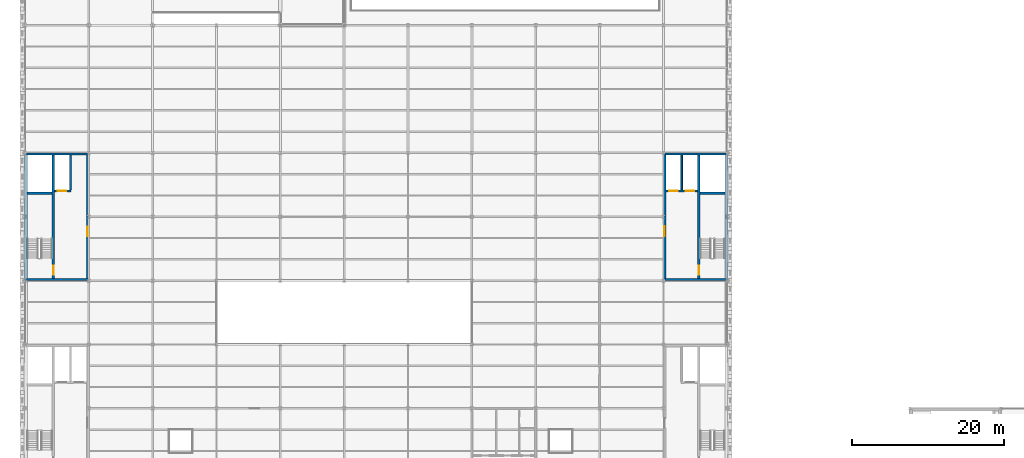
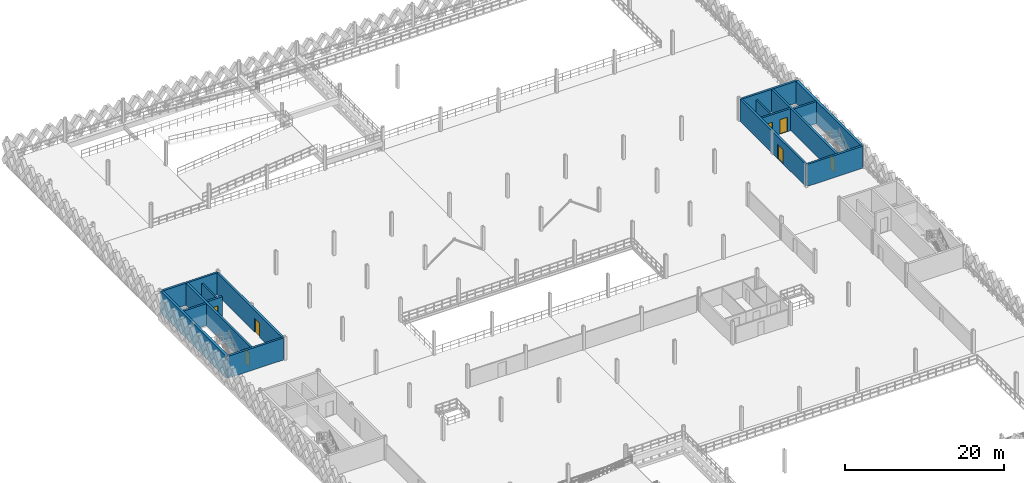
# One storey, part 61 of 74: 16 walls, 7 doors, 7 openings.
"""IFC4 building model written with IfcOpenShell, lengths in metres."""

from ifc_helpers import new_model, si_unit, direction, frame, frame_2d, origin, place, context, subcontext, project, spatial, rectangle, extrude, material, layer, layer_set, type_object, element, fill, save


model = new_model("IFC4")

# Units and contexts
model_context = context("Model", 3, precision=1e-05, world=origin(), true_north=direction((0.0, 1.0)))
body_context = subcontext(model_context, "Body", "Model", "MODEL_VIEW")
ifc_project = project(units=[si_unit("LENGTHUNIT", "METRE"), si_unit("AREAUNIT", "SQUARE_METRE"), si_unit("VOLUMEUNIT", "CUBIC_METRE"), si_unit("PLANEANGLEUNIT", "RADIAN"), si_unit("MASSUNIT", "GRAM", prefix="KILO"), si_unit("THERMODYNAMICTEMPERATUREUNIT", "KELVIN"), si_unit("POWERUNIT", "WATT")], contexts=[model_context])

# Site, building, storey
site_placement = place(None, origin())
site = spatial("IfcSite", under=ifc_project, at=site_placement, CompositionType="ELEMENT")
building_placement = place(site_placement, origin())
building = spatial("IfcBuilding", under=site, at=building_placement, Name="Tembeka Court Mobility Hub", CompositionType="ELEMENT")
storey_placement = place(building_placement, frame((0.0, 0.0, 12.60009765625)))
storey = spatial("IfcBuildingStorey", under=building, at=storey_placement, Name="L03", CompositionType="ELEMENT", Elevation=12.60009765625)

# Walls
ifc_material_1 = material(Name="Concrete C40/50", Category="concrete")
ifc_layer_1 = layer(ifc_material_1, 0.25)
ifc_layer_set_1 = layer_set([ifc_layer_1], Name="Concrete C40/50")
wall_type_1 = type_object("IfcWallType", Name="WL-IW01", PredefinedType="PARTITIONING", material=ifc_layer_set_1)
for number, where, z_axis, x_axis, name in (
    (1, (86.39990234375, 75.550048828125, 0.0), (0.0, 0.0, 1.0), (0.0, 1.0, 0.0), "Wall IW01 (IW-L03-0104)"),
    (2, (6.0, 75.550048828125, 0.0), (0.0, 0.0, 1.0), (0.0, 1.0, 0.0), "Wall IW01 (IW-L03-0168)"),
):
    element("IfcWall", number, at=place(storey_placement, frame(where, z_axis=z_axis, x_axis=x_axis)), inside=storey, type_object=wall_type_1, Name=name, PredefinedType="PARTITIONING", context=body_context, shape_type="SweptSolid", body=[
        extrude(rectangle(XDim=4.550048828125, YDim=0.25, at=frame_2d((2.27490234375, 0.0))), origin(), (0.0, 0.0, 1.0), 2.52490234375),
    ])
ifc_layer_2 = layer(ifc_material_1, 0.300048828125)
ifc_layer_set_2 = layer_set([ifc_layer_2], Name="Concrete C40/50")
wall_type_2 = type_object("IfcWallType", Name="WL-SW01", PredefinedType="SHEAR", material=ifc_layer_set_2)
for number, where, z_axis, x_axis, name in (
    (3, (84.1845703125, 63.75, 0.0), (0.0, 0.0, 1.0), (1.0, 0.0, 0.0), "Wall SW01 (IW-L03-0097)"),
    (4, (84.1845703125, 80.25, 0.0), (0.0, 0.0, 1.0), (1.0, 0.0, 0.0), "Wall SW01 (IW-L03-0098)"),
):
    element("IfcWall", number, at=place(storey_placement, frame(where, z_axis=z_axis, x_axis=x_axis)), inside=storey, type_object=wall_type_2, Name=name, PredefinedType="SHEAR", context=body_context, shape_type="SweptSolid", body=[
        extrude(rectangle(XDim=8.031005859375, YDim=0.300048828125, at=frame_2d((4.015625, 0.0))), origin(), (0.0, 0.0, 1.0), 3.3798828125),
    ])
wall_1_placement = place(storey_placement, frame((88.800048828125, 75.10009765625, 0.0), z_axis=(0.0, 0.0, 1.0), x_axis=(1.0, 0.0, 0.0)))
element("IfcWall", 5, at=wall_1_placement, inside=storey, type_object=wall_type_2, Name="Wall SW01 (IW-L03-0099)", PredefinedType="SHEAR", context=body_context, shape_type="SweptSolid", body=[
    extrude(rectangle(XDim=3.300048828125, YDim=0.300048828125, at=frame_2d((1.64990234375, 0.0))), origin(), (0.0, 0.0, 1.0), 3.3798828125),
])

# Wall, opening, door
wall_2_placement = place(storey_placement, frame((84.14990234375, 63.781982421875, 0.0), z_axis=(0.0, 0.0, 1.0), x_axis=(0.0, 1.0, 0.0)))
wall_2 = element("IfcWall", 6, at=wall_2_placement, inside=storey, type_object=wall_type_2, Name="Wall SW01 (IW-L03-0101)", PredefinedType="SHEAR", context=body_context, shape_type="SweptSolid", body=[
    extrude(rectangle(XDim=16.43603515625, YDim=0.300048828125, at=frame_2d((8.218017578125, 0.0))), origin(), (0.0, 0.0, 1.0), 3.3798828125),
])
opening_1_placement = place(wall_2_placement, frame((5.66796875, 0.0, 0.0)))
opening_1 = element("IfcOpeningElement", 7, at=opening_1_placement, cuts=wall_2, Name="Opening FD02", PredefinedType="OPENING", context=body_context, shape_type="SweptSolid", body=[
    extrude(rectangle(XDim=1.300048828125, YDim=2.199951171875, at=frame_2d((0.64990234375, 1.10009765625))), frame((0.0, 0.16015625, 0.0), z_axis=(0.0, -1.0, 0.0), x_axis=(1.0, 0.0, 0.0)), (0.0, 0.0, 1.0), 0.320068359375),
])
ifc_material_2 = material(Name="Galvanised steel fire/shutter doorset", Category="steel")
door_type_1 = type_object("IfcDoorType", Name="DR-FD02", OperationType="NOTDEFINED", PredefinedType="DOOR", material=ifc_material_2)
door_1_placement = place(opening_1_placement, origin())
door_1 = element("IfcDoor", 8, at=door_1_placement, inside=storey, type_object=door_type_1, Name="Door FD02-0051", OperationType="SINGLE_SWING_RIGHT", OverallHeight=2.199951171875, OverallWidth=1.300048828125, PredefinedType="DOOR", context=body_context, shape_type="SweptSolid", body=[
    extrude(rectangle(XDim=1.300048828125, YDim=2.199951171875, at=frame_2d((0.64990234375, 1.10009765625))), frame((0.0, 0.02490234375, 0.0), z_axis=(0.0, -1.0, 0.0), x_axis=(1.0, 0.0, 0.0)), (0.0, 0.0, 1.0), 0.050048828125),
])
fill(opening_1, door_1)

wall_3_placement = place(storey_placement, frame((88.64990234375, 63.89990234375, 0.0), z_axis=(0.0, 0.0, 1.0), x_axis=(0.0, 1.0, 0.0)))
wall_3 = element("IfcWall", 9, at=wall_3_placement, inside=storey, type_object=wall_type_2, Name="Wall SW01 (IW-L03-0102)", PredefinedType="SHEAR", context=body_context, shape_type="SweptSolid", body=[
    extrude(rectangle(XDim=16.2001953125, YDim=0.300048828125, at=frame_2d((8.10009765625, 0.0))), origin(), (0.0, 0.0, 1.0), 3.3798828125),
])
opening_2_placement = place(wall_3_placement, frame((0.5, 0.0, 0.0)))
opening_2 = element("IfcOpeningElement", 10, at=opening_2_placement, cuts=wall_3, Name="Opening FD03", PredefinedType="OPENING", context=body_context, shape_type="SweptSolid", body=[
    extrude(rectangle(XDim=1.14990234375, YDim=2.14990234375, at=frame_2d((0.574951171875, 1.074951171875))), frame((0.0, 0.16015625, 0.0), z_axis=(0.0, -1.0, 0.0), x_axis=(1.0, 0.0, 0.0)), (0.0, 0.0, 1.0), 0.320068359375),
])
door_type_2 = type_object("IfcDoorType", Name="DR-FD03", OperationType="NOTDEFINED", PredefinedType="DOOR", material=ifc_material_2)
door_2_placement = place(opening_2_placement, origin())
door_2 = element("IfcDoor", 11, at=door_2_placement, inside=storey, type_object=door_type_2, Name="Door FD03-0052", OperationType="SINGLE_SWING_RIGHT", OverallHeight=2.14990234375, OverallWidth=1.14990234375, PredefinedType="DOOR", context=body_context, shape_type="SweptSolid", body=[
    extrude(rectangle(XDim=1.14990234375, YDim=2.14990234375, at=frame_2d((0.574951171875, 1.074951171875))), frame((0.0, 0.02490234375, 0.0), z_axis=(0.0, -1.0, 0.0), x_axis=(1.0, 0.0, 0.0)), (0.0, 0.0, 1.0), 0.050048828125),
])
fill(opening_2, door_2)

# Wall, openings, doors
wall_4_placement = place(storey_placement, frame((84.300048828125, 75.39990234375, 0.0), z_axis=(0.0, 0.0, 1.0), x_axis=(1.0, 0.0, 0.0)))
wall_4 = element("IfcWall", 12, at=wall_4_placement, inside=storey, type_object=wall_type_2, Name="Wall SW01 (IW-L03-0103)", PredefinedType="SHEAR", context=body_context, shape_type="SweptSolid", body=[
    extrude(rectangle(XDim=4.199951171875, YDim=0.300048828125, at=frame_2d((2.10009765625, 0.0))), origin(), (0.0, 0.0, 1.0), 3.3798828125),
])
opening_3_placement = place(wall_4_placement, frame((0.449951171875, 0.0, 0.0)))
opening_3 = element("IfcOpeningElement", 13, at=opening_3_placement, cuts=wall_4, Name="Opening LD01", PredefinedType="OPENING", context=body_context, shape_type="SweptSolid", body=[
    extrude(rectangle(XDim=1.10009765625, YDim=2.199951171875, at=frame_2d((0.550048828125, 1.10009765625))), frame((0.0, 0.16015625, 0.0), z_axis=(0.0, -1.0, 0.0), x_axis=(1.0, 0.0, 0.0)), (0.0, 0.0, 1.0), 0.320068359375),
])
opening_4_placement = place(wall_4_placement, frame((2.64990234375, 0.0, 0.0)))
opening_4 = element("IfcOpeningElement", 14, at=opening_4_placement, cuts=wall_4, Name="Opening LD01", PredefinedType="OPENING", context=body_context, shape_type="SweptSolid", body=[
    extrude(rectangle(XDim=1.10009765625, YDim=2.199951171875, at=frame_2d((0.550048828125, 1.10009765625))), frame((0.0, 0.16015625, 0.0), z_axis=(0.0, -1.0, 0.0), x_axis=(1.0, 0.0, 0.0)), (0.0, 0.0, 1.0), 0.320068359375),
])
door_type_3 = type_object("IfcDoorType", Name="DR-LD01", OperationType="SLIDING_TO_LEFT", PredefinedType="DOOR", material=ifc_material_2)
door_3_placement = place(opening_3_placement, origin())
door_3 = element("IfcDoor", 15, at=door_3_placement, inside=storey, type_object=door_type_3, Name="Lift LF02 landing door L03", OperationType="SLIDING_TO_LEFT", OverallHeight=2.199951171875, OverallWidth=1.10009765625, PredefinedType="DOOR", context=body_context, shape_type="SweptSolid", body=[
    extrude(rectangle(XDim=1.10009765625, YDim=2.199951171875, at=frame_2d((0.550048828125, 1.10009765625))), frame((0.0, 0.02490234375, 0.0), z_axis=(0.0, -1.0, 0.0), x_axis=(1.0, 0.0, 0.0)), (0.0, 0.0, 1.0), 0.050048828125),
])
fill(opening_3, door_3)
door_4_placement = place(opening_4_placement, origin())
door_4 = element("IfcDoor", 16, at=door_4_placement, inside=storey, type_object=door_type_3, Name="Lift LF04 landing door L03", OperationType="SLIDING_TO_LEFT", OverallHeight=2.199951171875, OverallWidth=1.10009765625, PredefinedType="DOOR", context=body_context, shape_type="SweptSolid", body=[
    extrude(rectangle(XDim=1.10009765625, YDim=2.199951171875, at=frame_2d((0.550048828125, 1.10009765625))), frame((0.0, 0.02490234375, 0.0), z_axis=(0.0, -1.0, 0.0), x_axis=(1.0, 0.0, 0.0)), (0.0, 0.0, 1.0), 0.050048828125),
])
fill(opening_4, door_4)

# Walls
for number, where, z_axis, x_axis, name in (
    (17, (0.1845703125, 63.75, 0.0), (0.0, 0.0, 1.0), (1.0, 0.0, 0.0), "Wall SW01 (IW-L03-0161)"),
    (18, (0.1845703125, 80.25, 0.0), (0.0, 0.0, 1.0), (1.0, 0.0, 0.0), "Wall SW01 (IW-L03-0162)"),
):
    element("IfcWall", number, at=place(storey_placement, frame(where, z_axis=z_axis, x_axis=x_axis)), inside=storey, type_object=wall_type_2, Name=name, PredefinedType="SHEAR", context=body_context, shape_type="SweptSolid", body=[
        extrude(rectangle(XDim=8.031005859375, YDim=0.300048828125, at=frame_2d((4.015625, 0.0))), origin(), (0.0, 0.0, 1.0), 3.3798828125),
    ])
wall_5_placement = place(storey_placement, frame((0.300048828125, 75.10009765625, 0.0), z_axis=(0.0, 0.0, 1.0), x_axis=(1.0, 0.0, 0.0)))
element("IfcWall", 19, at=wall_5_placement, inside=storey, type_object=wall_type_2, Name="Wall SW01 (IW-L03-0163)", PredefinedType="SHEAR", context=body_context, shape_type="SweptSolid", body=[
    extrude(rectangle(XDim=3.300048828125, YDim=0.300048828125, at=frame_2d((1.64990234375, 0.0))), origin(), (0.0, 0.0, 1.0), 3.3798828125),
])

# Wall, opening, door
wall_6_placement = place(storey_placement, frame((8.25, 63.781982421875, 0.0), z_axis=(0.0, 0.0, 1.0), x_axis=(0.0, 1.0, 0.0)))
wall_6 = element("IfcWall", 20, at=wall_6_placement, inside=storey, type_object=wall_type_2, Name="Wall SW01 (IW-L03-0165)", PredefinedType="SHEAR", context=body_context, shape_type="SweptSolid", body=[
    extrude(rectangle(XDim=16.43603515625, YDim=0.300048828125, at=frame_2d((8.218017578125, 0.0))), origin(), (0.0, 0.0, 1.0), 3.3798828125),
])
opening_5_placement = place(wall_6_placement, frame((5.66796875, 0.0, 0.0)))
opening_5 = element("IfcOpeningElement", 21, at=opening_5_placement, cuts=wall_6, Name="Opening FD01", PredefinedType="OPENING", context=body_context, shape_type="SweptSolid", body=[
    extrude(rectangle(XDim=1.25, YDim=2.14990234375, at=frame_2d((0.625, 1.074951171875))), frame((0.0, 0.16015625, 0.0), z_axis=(0.0, -1.0, 0.0), x_axis=(1.0, 0.0, 0.0)), (0.0, 0.0, 1.0), 0.320068359375),
])
door_type_4 = type_object("IfcDoorType", Name="DR-FD01", OperationType="NOTDEFINED", PredefinedType="DOOR", material=ifc_material_2)
door_5_placement = place(opening_5_placement, origin())
door_5 = element("IfcDoor", 22, at=door_5_placement, inside=storey, type_object=door_type_4, Name="Door FD01-0080", OperationType="SINGLE_SWING_RIGHT", OverallHeight=2.14990234375, OverallWidth=1.25, PredefinedType="DOOR", context=body_context, shape_type="SweptSolid", body=[
    extrude(rectangle(XDim=1.25, YDim=2.14990234375, at=frame_2d((0.625, 1.074951171875))), frame((0.0, 0.02490234375, 0.0), z_axis=(0.0, -1.0, 0.0), x_axis=(1.0, 0.0, 0.0)), (0.0, 0.0, 1.0), 0.050048828125),
])
fill(opening_5, door_5)

wall_7_placement = place(storey_placement, frame((3.75, 63.89990234375, 0.0), z_axis=(0.0, 0.0, 1.0), x_axis=(0.0, 1.0, 0.0)))
wall_7 = element("IfcWall", 23, at=wall_7_placement, inside=storey, type_object=wall_type_2, Name="Wall SW01 (IW-L03-0166)", PredefinedType="SHEAR", context=body_context, shape_type="SweptSolid", body=[
    extrude(rectangle(XDim=16.2001953125, YDim=0.300048828125, at=frame_2d((8.10009765625, 0.0))), origin(), (0.0, 0.0, 1.0), 3.3798828125),
])
opening_6_placement = place(wall_7_placement, frame((0.5, 0.0, 0.0)))
opening_6 = element("IfcOpeningElement", 24, at=opening_6_placement, cuts=wall_7, Name="Opening FD03", PredefinedType="OPENING", context=body_context, shape_type="SweptSolid", body=[
    extrude(rectangle(XDim=1.14990234375, YDim=2.14990234375, at=frame_2d((0.574951171875, 1.074951171875))), frame((0.0, 0.16015625, 0.0), z_axis=(0.0, -1.0, 0.0), x_axis=(1.0, 0.0, 0.0)), (0.0, 0.0, 1.0), 0.320068359375),
])
door_6_placement = place(opening_6_placement, frame((1.14990234375, 0.0, 0.0), z_axis=(0.0, 0.0, 1.0), x_axis=(-1.0, 0.0, 0.0)))
door_6 = element("IfcDoor", 25, at=door_6_placement, inside=storey, type_object=door_type_2, Name="Door FD03-0081", OperationType="SINGLE_SWING_LEFT", OverallHeight=2.14990234375, OverallWidth=1.14990234375, PredefinedType="DOOR", context=body_context, shape_type="SweptSolid", body=[
    extrude(rectangle(XDim=1.14990234375, YDim=2.14990234375, at=frame_2d((0.574951171875, 1.074951171875))), frame((0.0, 0.02490234375, 0.0), z_axis=(0.0, -1.0, 0.0), x_axis=(1.0, 0.0, 0.0)), (0.0, 0.0, 1.0), 0.050048828125),
])
fill(opening_6, door_6)

wall_8_placement = place(storey_placement, frame((3.89990234375, 75.39990234375, 0.0), z_axis=(0.0, 0.0, 1.0), x_axis=(1.0, 0.0, 0.0)))
wall_8 = element("IfcWall", 26, at=wall_8_placement, inside=storey, type_object=wall_type_2, Name="Wall SW01 (IW-L03-0167)", PredefinedType="SHEAR", context=body_context, shape_type="SweptSolid", body=[
    extrude(rectangle(XDim=2.2001953125, YDim=0.300048828125, at=frame_2d((1.10009765625, 0.0))), origin(), (0.0, 0.0, 1.0), 3.3798828125),
])
opening_7_placement = place(wall_8_placement, frame((0.449951171875, 0.0, 0.0)))
opening_7 = element("IfcOpeningElement", 27, at=opening_7_placement, cuts=wall_8, Name="Opening LD01", PredefinedType="OPENING", context=body_context, shape_type="SweptSolid", body=[
    extrude(rectangle(XDim=1.10009765625, YDim=2.199951171875, at=frame_2d((0.550048828125, 1.10009765625))), frame((0.0, 0.16015625, 0.0), z_axis=(0.0, -1.0, 0.0), x_axis=(1.0, 0.0, 0.0)), (0.0, 0.0, 1.0), 0.320068359375),
])
door_7_placement = place(opening_7_placement, origin())
door_7 = element("IfcDoor", 28, at=door_7_placement, inside=storey, type_object=door_type_3, Name="Lift LF05 landing door L03", OperationType="SLIDING_TO_LEFT", OverallHeight=2.199951171875, OverallWidth=1.10009765625, PredefinedType="DOOR", context=body_context, shape_type="SweptSolid", body=[
    extrude(rectangle(XDim=1.10009765625, YDim=2.199951171875, at=frame_2d((0.550048828125, 1.10009765625))), frame((0.0, 0.02490234375, 0.0), z_axis=(0.0, -1.0, 0.0), x_axis=(1.0, 0.0, 0.0)), (0.0, 0.0, 1.0), 0.050048828125),
])
fill(opening_7, door_7)

# Walls
ifc_layer_3 = layer(ifc_material_1, 0.35009765625)
ifc_layer_set_3 = layer_set([ifc_layer_3], Name="Concrete C40/50")
wall_type_3 = type_object("IfcWallType", Name="WL-SW02", PredefinedType="SHEAR", material=ifc_layer_set_3)
for number, where, z_axis, x_axis, name in (
    (29, (92.25, 63.781982421875, 0.0), (0.0, 0.0, 1.0), (0.0, 1.0, 0.0), "Wall SW02 (IW-L03-0100)"),
    (30, (0.14990234375, 63.781982421875, 0.0), (0.0, 0.0, 1.0), (0.0, 1.0, 0.0), "Wall SW02 (IW-L03-0164)"),
):
    element("IfcWall", number, at=place(storey_placement, frame(where, z_axis=z_axis, x_axis=x_axis)), inside=storey, type_object=wall_type_3, Name=name, PredefinedType="SHEAR", context=body_context, shape_type="SweptSolid", body=[
        extrude(rectangle(XDim=16.43603515625, YDim=0.35009765625, at=frame_2d((8.218017578125, 0.0))), origin(), (0.0, 0.0, 1.0), 3.3798828125),
    ])

save(model, "model.ifc")
